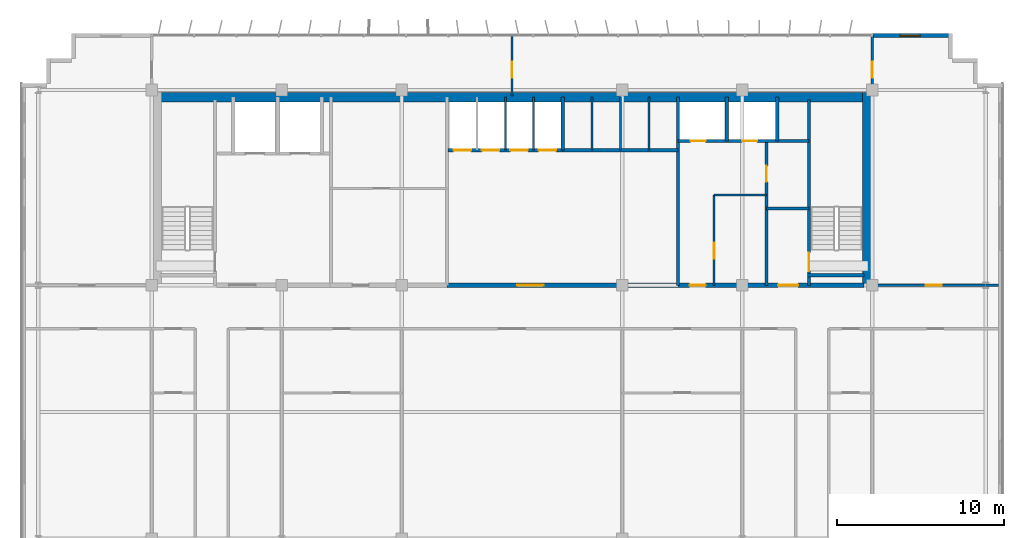
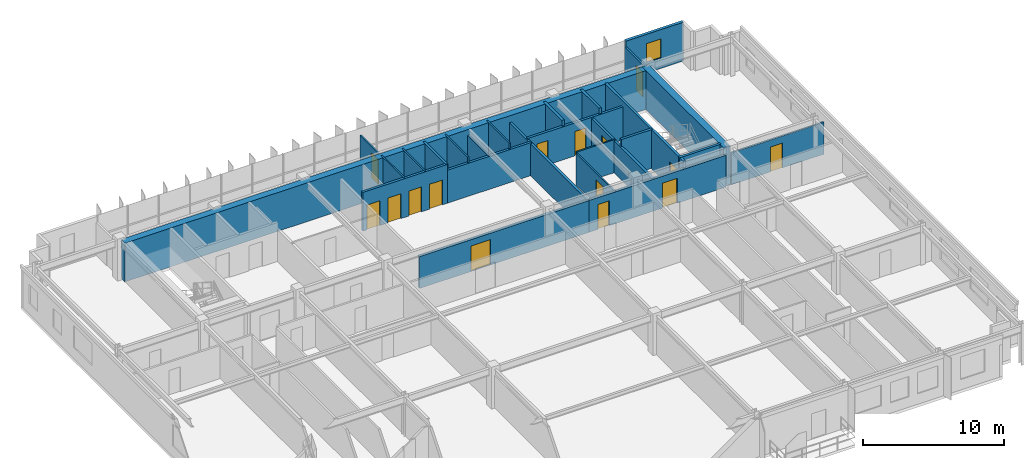
# One storey, part 17 of 20: 26 walls, 15 doors, 1 window, 16 openings.
"""IFC4 building model written with IfcOpenShell, lengths in metres."""

from ifc_helpers import new_model, si_unit, direction, frame, frame_2d, origin, place, context, subcontext, project, spatial, rectangle, extrude, source, transform, mapped, material, layer, layer_set, type_object, element, fill, save


model = new_model("IFC4")

# Units and contexts
model_context = context("Model", 3, precision=1e-05, world=origin(), true_north=direction((0.0, 1.0)))
body_context = subcontext(model_context, "Body", "Model", "MODEL_VIEW")
ifc_project = project(units=[si_unit("LENGTHUNIT", "METRE"), si_unit("AREAUNIT", "SQUARE_METRE"), si_unit("VOLUMEUNIT", "CUBIC_METRE"), si_unit("PLANEANGLEUNIT", "RADIAN"), si_unit("MASSUNIT", "GRAM", prefix="KILO")], contexts=[model_context])

# Site, building, storey
site_placement = place(None, origin())
site = spatial("IfcSite", under=ifc_project, at=site_placement, CompositionType="ELEMENT")
building_placement = place(site_placement, origin())
building = spatial("IfcBuilding", under=site, at=building_placement, Name="Trelvane Seafront Commons", CompositionType="ELEMENT")
storey_placement = place(building_placement, frame((0.0, 0.0, 146.5)))
storey = spatial("IfcBuildingStorey", under=building, at=storey_placement, Name="L38", CompositionType="ELEMENT", Elevation=146.5)

# Wall, opening, window
ifc_material_1 = material(Name="Precast concrete C40/50", Category="concrete")
ifc_layer_1 = layer(ifc_material_1, 0.239990234375, Name="ARCH-WALL-EXT240")
ifc_layer_set_1 = layer_set([ifc_layer_1], Name="Precast concrete C40/50")
wall_type_1 = type_object("IfcWallType", Name="ARCH-WALL-EXT240", PredefinedType="SOLIDWALL", material=ifc_layer_set_1)
wall_1_placement = place(storey_placement, frame((58.800048828125, 48.3701171875, 0.0), z_axis=(0.0, 0.0, 1.0), x_axis=(1.0, 0.0, 0.0)))
wall_1 = element("IfcWall", 1, at=wall_1_placement, inside=storey, type_object=wall_type_1, Name="EW-L38-NE-0738", PredefinedType="SOLIDWALL", context=body_context, shape_type="SweptSolid", body=[
    extrude(rectangle(XDim=4.699951171875, YDim=0.239990234375, at=frame_2d((2.35009765625, 0.0))), origin(), (0.0, 0.0, 1.0), 3.35009765625),
])
opening_1_placement = place(wall_1_placement, frame((1.658935546875, 0.0, 0.89990234375)))
opening_1 = element("IfcOpeningElement", 2, at=opening_1_placement, cuts=wall_1, Name="Opening W05", PredefinedType="OPENING", context=body_context, shape_type="SweptSolid", body=[
    extrude(rectangle(XDim=1.199951171875, YDim=1.64990234375, at=frame_2d((0.60009765625, 0.824951171875))), frame((0.0, 0.1298828125, 0.0), z_axis=(0.0, -1.0, 0.0), x_axis=(1.0, 0.0, 0.0)), (0.0, 0.0, 1.0), 0.260009765625),
])
ifc_material_2 = material(Name="Low-E coastal double glazing", Category="glass")
window_type = type_object("IfcWindowType", Name="ARCH-WIN-W05", PartitioningType="SINGLE_PANEL", PredefinedType="WINDOW", material=ifc_material_2)
shared_shape_1 = source(origin(), body_context, "Body", "SweptSolid", [
    extrude(rectangle(XDim=1.199951171875, YDim=1.64990234375, at=frame_2d((0.60009765625, 0.824951171875))), frame((0.0, 0.030029296875, 0.0), z_axis=(0.0, -1.0, 0.0), x_axis=(1.0, 0.0, 0.0)), (0.0, 0.0, 1.0), 0.06005859375),
])
window_placement = place(opening_1_placement, origin())
window = element("IfcWindow", 3, at=window_placement, inside=storey, type_object=window_type, Name="WIN-L38-00876", OverallHeight=1.64990234375, OverallWidth=1.199951171875, PartitioningType="SINGLE_PANEL", PredefinedType="WINDOW", context=body_context, shape_type="MappedRepresentation", body=[
    mapped(shared_shape_1, transform((0.0, 0.0, 0.0), x_axis=(1.0, 0.0, 0.0), y_axis=(0.0, 1.0, 0.0), z_axis=(0.0, 0.0, 1.0), scale=1.0)),
])
fill(opening_1, window)

# Wall, opening, door
ifc_material_3 = material(Name="Concrete C40/50", Category="concrete")
ifc_layer_2 = layer(ifc_material_3, 0.199951171875, Name="ARCH-WALL-FIRE200")
ifc_layer_set_2 = layer_set([ifc_layer_2], Name="Concrete C40/50")
wall_type_2 = type_object("IfcWallType", Name="ARCH-WALL-FIRE200", PredefinedType="PARTITIONING", material=ifc_layer_set_2)
wall_2_placement = place(storey_placement, frame((52.449951171875, 33.39990234375, 0.0), z_axis=(0.0, 0.0, 1.0), x_axis=(0.0, 1.0, 0.0)))
wall_2 = element("IfcWall", 4, at=wall_2_placement, inside=storey, type_object=wall_type_2, Name="W-L38-ST2V-W-031", PredefinedType="PARTITIONING", context=body_context, shape_type="SweptSolid", body=[
    extrude(rectangle(XDim=8.650146484375, YDim=0.199951171875, at=frame_2d((4.3251953125, 0.0))), origin(), (0.0, 0.0, 1.0), 2.75),
])
opening_2_placement = place(wall_2_placement, frame((6.199951171875, 0.0, 0.0)))
opening_2 = element("IfcOpeningElement", 5, at=opening_2_placement, cuts=wall_2, Name="Opening FD-L38-15", PredefinedType="OPENING", context=body_context, shape_type="SweptSolid", body=[
    extrude(rectangle(XDim=0.949951171875, YDim=2.14990234375, at=frame_2d((0.47509765625, 1.074951171875))), frame((0.0, 0.10986328125, 0.0), z_axis=(0.0, -1.0, 0.0), x_axis=(1.0, 0.0, 0.0)), (0.0, 0.0, 1.0), 0.219970703125),
])
ifc_material_4 = material(Name="Powder-coated aluminium frame", Category="aluminium")
door_type_1 = type_object("IfcDoorType", Name="ARCH-DR-FD60-950", OperationType="NOTDEFINED", PredefinedType="DOOR", material=ifc_material_4)
shared_shape_2 = source(origin(), body_context, "Body", "SweptSolid", [
    extrude(rectangle(XDim=0.949951171875, YDim=2.14990234375, at=frame_2d((0.47509765625, 1.074951171875))), frame((0.0, 0.02490234375, 0.0), z_axis=(0.0, -1.0, 0.0), x_axis=(1.0, 0.0, 0.0)), (0.0, 0.0, 1.0), 0.050048828125),
])
door_1_placement = place(opening_2_placement, origin())
door_1 = element("IfcDoor", 6, at=door_1_placement, inside=storey, type_object=door_type_1, Name="L38 Cleaner Store Door", OperationType="SINGLE_SWING_LEFT", OverallHeight=2.14990234375, OverallWidth=0.949951171875, PredefinedType="DOOR", context=body_context, shape_type="MappedRepresentation", body=[
    mapped(shared_shape_2, transform((0.0, 0.0, 0.0), x_axis=(1.0, 0.0, 0.0), y_axis=(0.0, 1.0, 0.0), z_axis=(0.0, 0.0, 1.0), scale=1.0)),
])
fill(opening_2, door_1)

# Wall
wall_3_placement = place(storey_placement, frame((52.449951171875, 38.0, 0.0), z_axis=(0.0, 0.0, 1.0), x_axis=(1.0, 0.0, 0.0)))
element("IfcWall", 7, at=wall_3_placement, inside=storey, type_object=wall_type_2, Name="W-L38-ST2V-N-032", PredefinedType="PARTITIONING", context=body_context, shape_type="SweptSolid", body=[
    extrude(rectangle(XDim=2.550048828125, YDim=0.199951171875, at=frame_2d((1.27490234375, 0.0))), origin(), (0.0, 0.0, 1.0), 3.35009765625),
])

# Wall, opening, door
ifc_layer_3 = layer(ifc_material_3, 0.25, Name="ARCH-WALL-FIRE250")
ifc_layer_set_3 = layer_set([ifc_layer_3], Name="Concrete C40/50")
wall_type_3 = type_object("IfcWallType", Name="ARCH-WALL-FIRE250", PredefinedType="PARTITIONING", material=ifc_layer_set_3)
wall_4_placement = place(storey_placement, frame((33.300048828125, 33.39990234375, 0.0), z_axis=(0.0, 0.0, 1.0), x_axis=(1.0, 0.0, 0.0)))
wall_4 = element("IfcWall", 8, at=wall_4_placement, inside=storey, type_object=wall_type_3, Name="W-L38-CS-PAX-027", PredefinedType="PARTITIONING", context=body_context, shape_type="SweptSolid", body=[
    extrude(rectangle(XDim=13.849853515625, YDim=0.25, at=frame_2d((6.9248046875, 0.0))), origin(), (0.0, 0.0, 1.0), 2.75),
])
opening_3_placement = place(wall_4_placement, frame((4.199951171875, 0.0, 0.0)))
opening_3 = element("IfcOpeningElement", 9, at=opening_3_placement, cuts=wall_4, Name="Opening FD-L38-12", PredefinedType="OPENING", context=body_context, shape_type="SweptSolid", body=[
    extrude(rectangle(XDim=1.60009765625, YDim=2.199951171875, at=frame_2d((0.800048828125, 1.10009765625))), frame((0.0, 0.135009765625, 0.0), z_axis=(0.0, -1.0, 0.0), x_axis=(1.0, 0.0, 0.0)), (0.0, 0.0, 1.0), 0.27001953125),
])
door_type_2 = type_object("IfcDoorType", Name="ARCH-DR-FD60-1600", OperationType="DOUBLE_DOOR_SINGLE_SWING", PredefinedType="DOOR", material=ifc_material_4)
shared_shape_3 = source(origin(), body_context, "Body", "SweptSolid", [
    extrude(rectangle(XDim=1.60009765625, YDim=2.199951171875, at=frame_2d((0.800048828125, 1.10009765625))), frame((0.0, 0.02490234375, 0.0), z_axis=(0.0, -1.0, 0.0), x_axis=(1.0, 0.0, 0.0)), (0.0, 0.0, 1.0), 0.050048828125),
])
door_2_placement = place(opening_3_placement, origin())
door_2 = element("IfcDoor", 10, at=door_2_placement, inside=storey, type_object=door_type_2, Name="L38 Passenger Lift Lobby Double Door", OperationType="DOUBLE_DOOR_SINGLE_SWING", OverallHeight=2.199951171875, OverallWidth=1.60009765625, PredefinedType="DOOR", context=body_context, shape_type="MappedRepresentation", body=[
    mapped(shared_shape_3, transform((0.0, 0.0, 0.0), x_axis=(1.0, 0.0, 0.0), y_axis=(0.0, 1.0, 0.0), z_axis=(0.0, 0.0, 1.0), scale=1.0)),
])
fill(opening_3, door_2)

# Wall, openings, doors
wall_5_placement = place(storey_placement, frame((47.14990234375, 33.39990234375, 0.0), z_axis=(0.0, 0.0, 1.0), x_axis=(1.0, 0.0, 0.0)))
wall_5 = element("IfcWall", 11, at=wall_5_placement, inside=storey, type_object=wall_type_3, Name="W-L38-CS-EAST-035", PredefinedType="PARTITIONING", context=body_context, shape_type="SweptSolid", body=[
    extrude(rectangle(XDim=11.150146484375, YDim=0.25, at=frame_2d((5.5751953125, 0.0))), origin(), (0.0, 0.0, 1.0), 2.75),
])
opening_4_placement = place(wall_5_placement, frame((0.699951171875, 0.0, 0.0)))
opening_4 = element("IfcOpeningElement", 12, at=opening_4_placement, cuts=wall_5, Name="Opening FD-L38-17", PredefinedType="OPENING", context=body_context, shape_type="SweptSolid", body=[
    extrude(rectangle(XDim=0.949951171875, YDim=2.14990234375, at=frame_2d((0.47509765625, 1.074951171875))), frame((0.0, 0.135009765625, 0.0), z_axis=(0.0, -1.0, 0.0), x_axis=(1.0, 0.0, 0.0)), (0.0, 0.0, 1.0), 0.27001953125),
])
opening_5_placement = place(wall_5_placement, frame((6.0, 0.0, 0.0)))
opening_5 = element("IfcOpeningElement", 13, at=opening_5_placement, cuts=wall_5, Name="Opening FD-L38-18", PredefinedType="OPENING", context=body_context, shape_type="SweptSolid", body=[
    extrude(rectangle(XDim=1.199951171875, YDim=2.14990234375, at=frame_2d((0.60009765625, 1.074951171875))), frame((0.0, 0.135009765625, 0.0), z_axis=(0.0, -1.0, 0.0), x_axis=(1.0, 0.0, 0.0)), (0.0, 0.0, 1.0), 0.27001953125),
])
door_3_placement = place(opening_4_placement, origin())
door_3 = element("IfcDoor", 14, at=door_3_placement, inside=storey, type_object=door_type_1, Name="L38 Core Service Lobby Door", OperationType="SINGLE_SWING_LEFT", OverallHeight=2.14990234375, OverallWidth=0.949951171875, PredefinedType="DOOR", context=body_context, shape_type="MappedRepresentation", body=[
    mapped(shared_shape_2, transform((0.0, 0.0, 0.0), x_axis=(1.0, 0.0, 0.0), y_axis=(0.0, 1.0, 0.0), z_axis=(0.0, 0.0, 1.0), scale=1.0)),
])
fill(opening_4, door_3)
door_type_3 = type_object("IfcDoorType", Name="ARCH-DR-FD60-1200", OperationType="NOTDEFINED", PredefinedType="DOOR", material=ifc_material_4)
shared_shape_4 = source(origin(), body_context, "Body", "SweptSolid", [
    extrude(rectangle(XDim=1.199951171875, YDim=2.14990234375, at=frame_2d((0.60009765625, 1.074951171875))), frame((0.0, 0.02490234375, 0.0), z_axis=(0.0, -1.0, 0.0), x_axis=(1.0, 0.0, 0.0)), (0.0, 0.0, 1.0), 0.050048828125),
])
door_4_placement = place(opening_5_placement, origin())
door_4 = element("IfcDoor", 15, at=door_4_placement, inside=storey, type_object=door_type_3, Name="L38 East Stair Vestibule Fire Door", OperationType="SINGLE_SWING_RIGHT", OverallHeight=2.14990234375, OverallWidth=1.199951171875, PredefinedType="DOOR", context=body_context, shape_type="MappedRepresentation", body=[
    mapped(shared_shape_4, transform((0.0, 0.0, 0.0), x_axis=(1.0, 0.0, 0.0), y_axis=(0.0, 1.0, 0.0), z_axis=(0.0, 0.0, 1.0), scale=1.0)),
])
fill(opening_5, door_4)

# Walls
ifc_material_5 = material(Name="Gypsum Drywall Acoustic Partition")
ifc_layer_4 = layer(ifc_material_5, 0.1201171875, Name="ARCH-WALL-PART120")
ifc_layer_set_4 = layer_set([ifc_layer_4], Name="Gypsum Drywall Acoustic Partition")
wall_type_4 = type_object("IfcWallType", Name="ARCH-WALL-PART120", PredefinedType="PARTITIONING", material=ifc_layer_set_4)
for number, where, z_axis, x_axis, name in (
    (16, (36.800048828125, 41.5, 0.0), (0.0, 0.0, 1.0), (0.0, 1.0, 0.0), "W-L38-PM-DIV2-018"),
    (17, (38.5, 41.5, 0.0), (0.0, 0.0, 1.0), (0.0, 1.0, 0.0), "W-L38-PM-DIV3-019"),
    (18, (42.0, 41.5, 0.0), (0.0, 0.0, 1.0), (0.0, 1.0, 0.0), "W-L38-PH-DIV1-022"),
):
    element("IfcWall", number, at=place(storey_placement, frame(where, z_axis=z_axis, x_axis=x_axis)), inside=storey, type_object=wall_type_4, Name=name, PredefinedType="PARTITIONING", context=body_context, shape_type="SweptSolid", body=[
        extrude(rectangle(XDim=3.199951171875, YDim=0.1201171875, at=frame_2d((1.60009765625, 0.0))), origin(), (0.0, 0.0, 1.0), 3.35009765625),
    ])
wall_6_placement = place(storey_placement, frame((43.699951171875, 41.5, 0.0), z_axis=(0.0, 0.0, 1.0), x_axis=(0.0, 1.0, 0.0)))
element("IfcWall", 19, at=wall_6_placement, inside=storey, type_object=wall_type_4, Name="W-L38-PH-DIV2-023", PredefinedType="PARTITIONING", context=body_context, shape_type="SweptSolid", body=[
    extrude(rectangle(XDim=3.199951171875, YDim=0.1201171875, at=frame_2d((1.60009765625, 0.0))), origin(), (0.0, 0.0, 1.0), 2.85009765625),
])
wall_7_placement = place(storey_placement, frame((45.39990234375, 41.5, 0.0), z_axis=(0.0, 0.0, 1.0), x_axis=(0.0, 1.0, 0.0)))
element("IfcWall", 20, at=wall_7_placement, inside=storey, type_object=wall_type_4, Name="W-L38-PH-DIV3-024", PredefinedType="PARTITIONING", context=body_context, shape_type="SweptSolid", body=[
    extrude(rectangle(XDim=3.199951171875, YDim=0.1201171875, at=frame_2d((1.60009765625, 0.0))), origin(), (0.0, 0.0, 1.0), 3.35009765625),
])

# Wall, opening, door
wall_8_placement = place(storey_placement, frame((49.320068359375, 33.39990234375, 0.0), z_axis=(0.0, 0.0, 1.0), x_axis=(0.0, 1.0, 0.0)))
wall_8 = element("IfcWall", 21, at=wall_8_placement, inside=storey, type_object=wall_type_4, Name="W-L38-CYC2-V-033", PredefinedType="PARTITIONING", context=body_context, shape_type="SweptSolid", body=[
    extrude(rectangle(XDim=5.420166015625, YDim=0.1201171875, at=frame_2d((2.7099609375, 0.0))), origin(), (0.0, 0.0, 1.0), 2.75),
])
opening_6_placement = place(wall_8_placement, frame((1.60009765625, 0.0, 0.0)))
opening_6 = element("IfcOpeningElement", 22, at=opening_6_placement, cuts=wall_8, Name="Opening D-L38-16", PredefinedType="OPENING", context=body_context, shape_type="SweptSolid", body=[
    extrude(rectangle(XDim=0.949951171875, YDim=2.14990234375, at=frame_2d((0.47509765625, 1.074951171875))), frame((0.0, 0.070068359375, 0.0), z_axis=(0.0, -1.0, 0.0), x_axis=(1.0, 0.0, 0.0)), (0.0, 0.0, 1.0), 0.14013671875),
])
ifc_material_6 = material(Name="Acoustic timber door leaf", Category="wood")
door_type_4 = type_object("IfcDoorType", Name="ARCH-DR-INT950", OperationType="NOTDEFINED", PredefinedType="DOOR", material=ifc_material_6)
door_5_placement = place(opening_6_placement, origin())
door_5 = element("IfcDoor", 23, at=door_5_placement, inside=storey, type_object=door_type_4, Name="L38 Accessible WC Door", OperationType="SINGLE_SWING_RIGHT", OverallHeight=2.14990234375, OverallWidth=0.949951171875, PredefinedType="DOOR", context=body_context, shape_type="MappedRepresentation", body=[
    mapped(shared_shape_2, transform((0.0, 0.0, 0.0), x_axis=(1.0, 0.0, 0.0), y_axis=(0.0, 1.0, 0.0), z_axis=(0.0, 0.0, 1.0), scale=1.0)),
])
fill(opening_6, door_5)

# Wall
wall_9_placement = place(storey_placement, frame((49.320068359375, 38.820068359375, 0.0), z_axis=(0.0, 0.0, 1.0), x_axis=(1.0, 0.0, 0.0)))
element("IfcWall", 24, at=wall_9_placement, inside=storey, type_object=wall_type_4, Name="W-L38-CYC2-H-034", PredefinedType="PARTITIONING", context=body_context, shape_type="SweptSolid", body=[
    extrude(rectangle(XDim=3.1298828125, YDim=0.1201171875, at=frame_2d((1.56494140625, 0.0))), origin(), (0.0, 0.0, 1.0), 2.85009765625),
])

# Wall, opening, door
wall_10_placement = place(storey_placement, frame((37.199951171875, 44.75, 0.0), z_axis=(0.0, 0.0, 1.0), x_axis=(0.0, 1.0, 0.0)))
wall_10 = element("IfcWall", 25, at=wall_10_placement, inside=storey, type_object=wall_type_4, Name="W-L38-N-MID-DV-038", PredefinedType="PARTITIONING", context=body_context, shape_type="SweptSolid", body=[
    extrude(rectangle(XDim=3.610107421875, YDim=0.1201171875, at=frame_2d((1.80517578125, 0.0))), origin(), (0.0, 0.0, 1.0), 2.75),
])
opening_7_placement = place(wall_10_placement, frame((1.10009765625, 0.0, 0.0)))
opening_7 = element("IfcOpeningElement", 26, at=opening_7_placement, cuts=wall_10, Name="Opening D-L38-21", PredefinedType="OPENING", context=body_context, shape_type="SweptSolid", body=[
    extrude(rectangle(XDim=0.949951171875, YDim=2.14990234375, at=frame_2d((0.47509765625, 1.074951171875))), frame((0.0, 0.070068359375, 0.0), z_axis=(0.0, -1.0, 0.0), x_axis=(1.0, 0.0, 0.0)), (0.0, 0.0, 1.0), 0.14013671875),
])
door_6_placement = place(opening_7_placement, origin())
door_6 = element("IfcDoor", 27, at=door_6_placement, inside=storey, type_object=door_type_4, Name="L38 Door 21", OperationType="SINGLE_SWING_LEFT", OverallHeight=2.14990234375, OverallWidth=0.949951171875, PredefinedType="DOOR", context=body_context, shape_type="MappedRepresentation", body=[
    mapped(shared_shape_2, transform((0.0, 0.0, 0.0), x_axis=(1.0, 0.0, 0.0), y_axis=(0.0, 1.0, 0.0), z_axis=(0.0, 0.0, 1.0), scale=1.0)),
])
fill(opening_7, door_6)

ifc_layer_5 = layer(ifc_material_5, 0.14990234375, Name="ARCH-WALL-PART150")
ifc_layer_set_5 = layer_set([ifc_layer_5], Name="Gypsum Drywall Acoustic Partition")
wall_type_5 = type_object("IfcWallType", Name="ARCH-WALL-PART150", PredefinedType="PARTITIONING", material=ifc_layer_set_5)
wall_11_placement = place(storey_placement, frame((58.800048828125, 33.39990234375, 0.0), z_axis=(0.0, 0.0, 1.0), x_axis=(1.0, 0.0, 0.0)))
wall_11 = element("IfcWall", 28, at=wall_11_placement, inside=storey, type_object=wall_type_5, Name="W-L38-NE-ENT-037", PredefinedType="PARTITIONING", context=body_context, shape_type="SweptSolid", body=[
    extrude(rectangle(XDim=7.550048828125, YDim=0.14990234375, at=frame_2d((3.77490234375, 0.0))), origin(), (0.0, 0.0, 1.0), 2.75),
])
opening_8_placement = place(wall_11_placement, frame((3.199951171875, 0.0, 0.0)))
opening_8 = element("IfcOpeningElement", 29, at=opening_8_placement, cuts=wall_11, Name="Opening FD-L38-20", PredefinedType="OPENING", context=body_context, shape_type="SweptSolid", body=[
    extrude(rectangle(XDim=0.949951171875, YDim=2.14990234375, at=frame_2d((0.47509765625, 1.074951171875))), frame((0.0, 0.0849609375, 0.0), z_axis=(0.0, -1.0, 0.0), x_axis=(1.0, 0.0, 0.0)), (0.0, 0.0, 1.0), 0.169921875),
])
door_7_placement = place(opening_8_placement, origin())
door_7 = element("IfcDoor", 30, at=door_7_placement, inside=storey, type_object=door_type_1, Name="L38 NE Suite Entrance Door", OperationType="SINGLE_SWING_RIGHT", OverallHeight=2.14990234375, OverallWidth=0.949951171875, PredefinedType="DOOR", context=body_context, shape_type="MappedRepresentation", body=[
    mapped(shared_shape_2, transform((0.0, 0.0, 0.0), x_axis=(1.0, 0.0, 0.0), y_axis=(0.0, 1.0, 0.0), z_axis=(0.0, 0.0, 1.0), scale=1.0)),
])
fill(opening_8, door_7)

wall_12_placement = place(storey_placement, frame((58.800048828125, 44.75, 0.0), z_axis=(0.0, 0.0, 1.0), x_axis=(0.0, 1.0, 0.0)))
wall_12 = element("IfcWall", 31, at=wall_12_placement, inside=storey, type_object=wall_type_5, Name="W-L38-N-LINK-E-040", PredefinedType="PARTITIONING", context=body_context, shape_type="SweptSolid", body=[
    extrude(rectangle(XDim=3.610107421875, YDim=0.14990234375, at=frame_2d((1.80517578125, 0.0))), origin(), (0.0, 0.0, 1.0), 2.85009765625),
])
opening_9_placement = place(wall_12_placement, frame((1.10009765625, 0.0, 0.0)))
opening_9 = element("IfcOpeningElement", 32, at=opening_9_placement, cuts=wall_12, Name="Opening FD-L38-23", PredefinedType="OPENING", context=body_context, shape_type="SweptSolid", body=[
    extrude(rectangle(XDim=0.949951171875, YDim=2.14990234375, at=frame_2d((0.47509765625, 1.074951171875))), frame((0.0, 0.0849609375, 0.0), z_axis=(0.0, -1.0, 0.0), x_axis=(1.0, 0.0, 0.0)), (0.0, 0.0, 1.0), 0.169921875),
])
door_8_placement = place(opening_9_placement, origin())
door_8 = element("IfcDoor", 33, at=door_8_placement, inside=storey, type_object=door_type_1, Name="L38 Door 23", OperationType="SINGLE_SWING_LEFT", OverallHeight=2.14990234375, OverallWidth=0.949951171875, PredefinedType="DOOR", context=body_context, shape_type="MappedRepresentation", body=[
    mapped(shared_shape_2, transform((0.0, 0.0, 0.0), x_axis=(1.0, 0.0, 0.0), y_axis=(0.0, 1.0, 0.0), z_axis=(0.0, 0.0, 1.0), scale=1.0)),
])
fill(opening_9, door_8)

# Wall, openings, doors
ifc_layer_6 = layer(ifc_material_3, 0.199951171875, Name="ARCH-WALL-SHAFT200")
ifc_layer_set_6 = layer_set([ifc_layer_6], Name="Concrete C40/50")
wall_type_6 = type_object("IfcWallType", Name="ARCH-WALL-SHAFT200", PredefinedType="SOLIDWALL", material=ifc_layer_set_6)
wall_13_placement = place(storey_placement, frame((33.35009765625, 41.5, 0.0), z_axis=(0.0, 0.0, 1.0), x_axis=(1.0, 0.0, 0.0)))
wall_13 = element("IfcWall", 34, at=wall_13_placement, inside=storey, type_object=wall_type_6, Name="W-L38-PM-FRONT-016", PredefinedType="SOLIDWALL", context=body_context, shape_type="SweptSolid", body=[
    extrude(rectangle(XDim=6.89990234375, YDim=0.199951171875, at=frame_2d((3.449951171875, 0.0))), origin(), (0.0, 0.0, 1.0), 3.35009765625),
])
opening_10_placement = place(wall_13_placement, frame((0.35009765625, 0.0, 0.0)))
opening_10 = element("IfcOpeningElement", 35, at=opening_10_placement, cuts=wall_13, Name="Opening LD-PM1-L38", PredefinedType="OPENING", context=body_context, shape_type="SweptSolid", body=[
    extrude(rectangle(XDim=1.050048828125, YDim=2.14990234375, at=frame_2d((0.52490234375, 1.074951171875))), frame((0.0, 0.10986328125, 0.0), z_axis=(0.0, -1.0, 0.0), x_axis=(1.0, 0.0, 0.0)), (0.0, 0.0, 1.0), 0.219970703125),
])
opening_11_placement = place(wall_13_placement, frame((2.050048828125, 0.0, 0.0)))
opening_11 = element("IfcOpeningElement", 36, at=opening_11_placement, cuts=wall_13, Name="Opening LD-PM2-L38", PredefinedType="OPENING", context=body_context, shape_type="SweptSolid", body=[
    extrude(rectangle(XDim=1.050048828125, YDim=2.14990234375, at=frame_2d((0.52490234375, 1.074951171875))), frame((0.0, 0.10986328125, 0.0), z_axis=(0.0, -1.0, 0.0), x_axis=(1.0, 0.0, 0.0)), (0.0, 0.0, 1.0), 0.219970703125),
])
opening_12_placement = place(wall_13_placement, frame((3.75, 0.0, 0.0)))
opening_12 = element("IfcOpeningElement", 37, at=opening_12_placement, cuts=wall_13, Name="Opening LD-PM3-L38", PredefinedType="OPENING", context=body_context, shape_type="SweptSolid", body=[
    extrude(rectangle(XDim=1.050048828125, YDim=2.14990234375, at=frame_2d((0.52490234375, 1.074951171875))), frame((0.0, 0.10986328125, 0.0), z_axis=(0.0, -1.0, 0.0), x_axis=(1.0, 0.0, 0.0)), (0.0, 0.0, 1.0), 0.219970703125),
])
opening_13_placement = place(wall_13_placement, frame((5.449951171875, 0.0, 0.0)))
opening_13 = element("IfcOpeningElement", 38, at=opening_13_placement, cuts=wall_13, Name="Opening LD-PM4-L38", PredefinedType="OPENING", context=body_context, shape_type="SweptSolid", body=[
    extrude(rectangle(XDim=1.050048828125, YDim=2.14990234375, at=frame_2d((0.52490234375, 1.074951171875))), frame((0.0, 0.10986328125, 0.0), z_axis=(0.0, -1.0, 0.0), x_axis=(1.0, 0.0, 0.0)), (0.0, 0.0, 1.0), 0.219970703125),
])
ifc_material_7 = material(Name="Stainless steel balustrade", Category="steel")
door_type_5 = type_object("IfcDoorType", Name="ARCH-DR-LD1050", OperationType="DOUBLE_DOOR_SLIDING", PredefinedType="DOOR", material=ifc_material_7)
shared_shape_5 = source(origin(), body_context, "Body", "SweptSolid", [
    extrude(rectangle(XDim=1.050048828125, YDim=2.14990234375, at=frame_2d((0.52490234375, 1.074951171875))), frame((0.0, 0.02490234375, 0.0), z_axis=(0.0, -1.0, 0.0), x_axis=(1.0, 0.0, 0.0)), (0.0, 0.0, 1.0), 0.050048828125),
])
door_9_placement = place(opening_10_placement, origin())
door_9 = element("IfcDoor", 39, at=door_9_placement, inside=storey, type_object=door_type_5, Name="L38 Passenger Lift PM-1 Landing Door", OperationType="DOUBLE_DOOR_SLIDING", OverallHeight=2.14990234375, OverallWidth=1.050048828125, PredefinedType="DOOR", context=body_context, shape_type="MappedRepresentation", body=[
    mapped(shared_shape_5, transform((0.0, 0.0, 0.0), x_axis=(1.0, 0.0, 0.0), y_axis=(0.0, 1.0, 0.0), z_axis=(0.0, 0.0, 1.0), scale=1.0)),
])
fill(opening_10, door_9)
door_10_placement = place(opening_11_placement, origin())
door_10 = element("IfcDoor", 40, at=door_10_placement, inside=storey, type_object=door_type_5, Name="L38 Passenger Lift PM-2 Landing Door", OperationType="DOUBLE_DOOR_SLIDING", OverallHeight=2.14990234375, OverallWidth=1.050048828125, PredefinedType="DOOR", context=body_context, shape_type="MappedRepresentation", body=[
    mapped(shared_shape_5, transform((0.0, 0.0, 0.0), x_axis=(1.0, 0.0, 0.0), y_axis=(0.0, 1.0, 0.0), z_axis=(0.0, 0.0, 1.0), scale=1.0)),
])
fill(opening_11, door_10)
door_11_placement = place(opening_12_placement, origin())
door_11 = element("IfcDoor", 41, at=door_11_placement, inside=storey, type_object=door_type_5, Name="L38 Passenger Lift PM-3 Landing Door", OperationType="DOUBLE_DOOR_SLIDING", OverallHeight=2.14990234375, OverallWidth=1.050048828125, PredefinedType="DOOR", context=body_context, shape_type="MappedRepresentation", body=[
    mapped(shared_shape_5, transform((0.0, 0.0, 0.0), x_axis=(1.0, 0.0, 0.0), y_axis=(0.0, 1.0, 0.0), z_axis=(0.0, 0.0, 1.0), scale=1.0)),
])
fill(opening_12, door_11)
door_12_placement = place(opening_13_placement, origin())
door_12 = element("IfcDoor", 42, at=door_12_placement, inside=storey, type_object=door_type_5, Name="L38 Passenger Lift PM-4 Landing Door", OperationType="DOUBLE_DOOR_SLIDING", OverallHeight=2.14990234375, OverallWidth=1.050048828125, PredefinedType="DOOR", context=body_context, shape_type="MappedRepresentation", body=[
    mapped(shared_shape_5, transform((0.0, 0.0, 0.0), x_axis=(1.0, 0.0, 0.0), y_axis=(0.0, 1.0, 0.0), z_axis=(0.0, 0.0, 1.0), scale=1.0)),
])
fill(opening_13, door_12)

# Walls
wall_14_placement = place(storey_placement, frame((40.25, 41.5, 0.0), z_axis=(0.0, 0.0, 1.0), x_axis=(1.0, 0.0, 0.0)))
element("IfcWall", 43, at=wall_14_placement, inside=storey, type_object=wall_type_6, Name="W-L38-PH-FRONT-020", PredefinedType="SOLIDWALL", context=body_context, shape_type="SweptSolid", body=[
    extrude(rectangle(XDim=6.89990234375, YDim=0.199951171875, at=frame_2d((3.449951171875, 0.0))), origin(), (0.0, 0.0, 1.0), 2.85009765625),
])
wall_15_placement = place(storey_placement, frame((40.25, 41.5, 0.0), z_axis=(0.0, 0.0, 1.0), x_axis=(0.0, 1.0, 0.0)))
element("IfcWall", 44, at=wall_15_placement, inside=storey, type_object=wall_type_6, Name="W-L38-PH-WEST-SH-021", PredefinedType="SOLIDWALL", context=body_context, shape_type="SweptSolid", body=[
    extrude(rectangle(XDim=3.199951171875, YDim=0.199951171875, at=frame_2d((1.60009765625, 0.0))), origin(), (0.0, 0.0, 1.0), 3.35009765625),
])
wall_16_placement = place(storey_placement, frame((47.14990234375, 33.39990234375, 0.0), z_axis=(0.0, 0.0, 1.0), x_axis=(0.0, 1.0, 0.0)))
element("IfcWall", 45, at=wall_16_placement, inside=storey, type_object=wall_type_6, Name="W-L38-PH-EAST-025", PredefinedType="SOLIDWALL", context=body_context, shape_type="SweptSolid", body=[
    extrude(rectangle(XDim=11.300048828125, YDim=0.199951171875, at=frame_2d((5.64990234375, 0.0))), origin(), (0.0, 0.0, 1.0), 2.75),
])

# Wall, openings, doors
wall_17_placement = place(storey_placement, frame((47.14990234375, 42.050048828125, 0.0), z_axis=(0.0, 0.0, 1.0), x_axis=(1.0, 0.0, 0.0)))
wall_17 = element("IfcWall", 46, at=wall_17_placement, inside=storey, type_object=wall_type_6, Name="W-L38-RSR-S-028", PredefinedType="SOLIDWALL", context=body_context, shape_type="SweptSolid", body=[
    extrude(rectangle(XDim=7.85009765625, YDim=0.199951171875, at=frame_2d((3.925048828125, 0.0))), origin(), (0.0, 0.0, 1.0), 2.85009765625),
])
opening_14_placement = place(wall_17_placement, frame((0.75, 0.0, 0.0)))
opening_14 = element("IfcOpeningElement", 47, at=opening_14_placement, cuts=wall_17, Name="Opening FD-L38-13", PredefinedType="OPENING", context=body_context, shape_type="SweptSolid", body=[
    extrude(rectangle(XDim=0.89990234375, YDim=2.10009765625, at=frame_2d((0.449951171875, 1.050048828125))), frame((0.0, 0.10986328125, 0.0), z_axis=(0.0, -1.0, 0.0), x_axis=(1.0, 0.0, 0.0)), (0.0, 0.0, 1.0), 0.219970703125),
])
opening_15_placement = place(wall_17_placement, frame((3.85009765625, 0.0, 0.0)))
opening_15 = element("IfcOpeningElement", 48, at=opening_15_placement, cuts=wall_17, Name="Opening FD-L38-14", PredefinedType="OPENING", context=body_context, shape_type="SweptSolid", body=[
    extrude(rectangle(XDim=0.89990234375, YDim=2.10009765625, at=frame_2d((0.449951171875, 1.050048828125))), frame((0.0, 0.10986328125, 0.0), z_axis=(0.0, -1.0, 0.0), x_axis=(1.0, 0.0, 0.0)), (0.0, 0.0, 1.0), 0.219970703125),
])
door_type_6 = type_object("IfcDoorType", Name="ARCH-DR-FD60-900", OperationType="NOTDEFINED", PredefinedType="DOOR", material=ifc_material_4)
shared_shape_6 = source(origin(), body_context, "Body", "SweptSolid", [
    extrude(rectangle(XDim=0.89990234375, YDim=2.10009765625, at=frame_2d((0.449951171875, 1.050048828125))), frame((0.0, 0.02490234375, 0.0), z_axis=(0.0, -1.0, 0.0), x_axis=(1.0, 0.0, 0.0)), (0.0, 0.0, 1.0), 0.050048828125),
])
door_13_placement = place(opening_14_placement, origin())
door_13 = element("IfcDoor", 49, at=door_13_placement, inside=storey, type_object=door_type_6, Name="L38 Electrical Riser Access Door", OperationType="SINGLE_SWING_LEFT", OverallHeight=2.10009765625, OverallWidth=0.89990234375, PredefinedType="DOOR", context=body_context, shape_type="MappedRepresentation", body=[
    mapped(shared_shape_6, transform((0.0, 0.0, 0.0), x_axis=(1.0, 0.0, 0.0), y_axis=(0.0, 1.0, 0.0), z_axis=(0.0, 0.0, 1.0), scale=1.0)),
])
fill(opening_14, door_13)
door_14_placement = place(opening_15_placement, origin())
door_14 = element("IfcDoor", 50, at=door_14_placement, inside=storey, type_object=door_type_6, Name="L38 Mechanical Riser Access Door", OperationType="SINGLE_SWING_RIGHT", OverallHeight=2.10009765625, OverallWidth=0.89990234375, PredefinedType="DOOR", context=body_context, shape_type="MappedRepresentation", body=[
    mapped(shared_shape_6, transform((0.0, 0.0, 0.0), x_axis=(1.0, 0.0, 0.0), y_axis=(0.0, 1.0, 0.0), z_axis=(0.0, 0.0, 1.0), scale=1.0)),
])
fill(opening_15, door_14)

# Walls
for number, where, z_axis, x_axis, name in (
    (51, (50.080078125, 42.050048828125, 0.0), (0.0, 0.0, 1.0), (0.0, 1.0, 0.0), "W-L38-RSR-DIV-029"),
    (52, (53.10009765625, 42.050048828125, 0.0), (0.0, 0.0, 1.0), (0.0, 1.0, 0.0), "W-L38-RSR-E-030"),
):
    element("IfcWall", number, at=place(storey_placement, frame(where, z_axis=z_axis, x_axis=x_axis)), inside=storey, type_object=wall_type_6, Name=name, PredefinedType="SOLIDWALL", context=body_context, shape_type="SweptSolid", body=[
        extrude(rectangle(XDim=2.64990234375, YDim=0.199951171875, at=frame_2d((1.324951171875, 0.0))), origin(), (0.0, 0.0, 1.0), 3.35009765625),
    ])
ifc_material_8 = material(Name="Concrete C50/60", Category="concrete")
ifc_layer_7 = layer(ifc_material_8, 0.550048828125, Name="STR-WALL-CORE550")
ifc_layer_set_7 = layer_set([ifc_layer_7], Name="Concrete C50/60")
wall_type_7 = type_object("IfcWallType", Name="STR-WALL-CORE550", PredefinedType="SHEAR", material=ifc_layer_set_7)
wall_18_placement = place(storey_placement, frame((15.64990234375, 44.675048828125, 0.0), z_axis=(0.0, 0.0, 1.0), x_axis=(1.0, 0.0, 0.0)))
element("IfcWall", 53, at=wall_18_placement, inside=storey, type_object=wall_type_7, Name="W-L38-CN-ALL-001", PredefinedType="SHEAR", context=body_context, shape_type="SweptSolid", body=[
    extrude(rectangle(XDim=43.10009765625, YDim=0.550048828125, at=frame_2d((21.550048828125, 0.0))), origin(), (0.0, 0.0, 1.0), 3.35009765625),
])
wall_19_placement = place(storey_placement, frame((58.47509765625, 33.39990234375, 0.0), z_axis=(0.0, 0.0, 1.0), x_axis=(0.0, 1.0, 0.0)))
element("IfcWall", 54, at=wall_19_placement, inside=storey, type_object=wall_type_7, Name="W-L38-CE-END-003", PredefinedType="SHEAR", context=body_context, shape_type="SweptSolid", body=[
    extrude(rectangle(XDim=11.550048828125, YDim=0.550048828125, at=frame_2d((5.77490234375, 0.0))), origin(), (0.0, 0.0, 1.0), 3.35009765625),
])
ifc_layer_8 = layer(ifc_material_8, 0.199951171875, Name="STR-WALL-STAIR200")
ifc_layer_set_8 = layer_set([ifc_layer_8], Name="Concrete C50/60")
wall_type_8 = type_object("IfcWallType", Name="STR-WALL-STAIR200", PredefinedType="SHEAR", material=ifc_layer_set_8)
wall_20_placement = place(storey_placement, frame((54.89990234375, 34.0, 0.0), z_axis=(0.0, 0.0, 1.0), x_axis=(1.0, 0.0, 0.0)))
element("IfcWall", 55, at=wall_20_placement, inside=storey, type_object=wall_type_8, Name="W-L38-ST2-S-006", PredefinedType="SHEAR", context=body_context, shape_type="SweptSolid", body=[
    extrude(rectangle(XDim=3.400146484375, YDim=0.199951171875, at=frame_2d((1.7001953125, 0.0))), origin(), (0.0, 0.0, 1.0), 3.35009765625),
])

# Wall, opening, door
wall_21_placement = place(storey_placement, frame((55.0, 33.39990234375, 0.0), z_axis=(0.0, 0.0, 1.0), x_axis=(0.0, 1.0, 0.0)))
wall_21 = element("IfcWall", 56, at=wall_21_placement, inside=storey, type_object=wall_type_8, Name="W-L38-ST2-W-007", PredefinedType="SHEAR", context=body_context, shape_type="SweptSolid", body=[
    extrude(rectangle(XDim=11.10009765625, YDim=0.199951171875, at=frame_2d((5.550048828125, 0.0))), origin(), (0.0, 0.0, 1.0), 3.35009765625),
])
opening_16_placement = place(wall_21_placement, frame((0.85009765625, 0.0, 0.0)))
opening_16 = element("IfcOpeningElement", 57, at=opening_16_placement, cuts=wall_21, Name="Opening ST-D2-L38", PredefinedType="OPENING", context=body_context, shape_type="SweptSolid", body=[
    extrude(rectangle(XDim=1.10009765625, YDim=2.14990234375, at=frame_2d((0.550048828125, 1.074951171875))), frame((0.0, 0.10986328125, 0.0), z_axis=(0.0, -1.0, 0.0), x_axis=(1.0, 0.0, 0.0)), (0.0, 0.0, 1.0), 0.219970703125),
])
door_type_7 = type_object("IfcDoorType", Name="ARCH-DR-FD90-1100", OperationType="NOTDEFINED", PredefinedType="DOOR", material=ifc_material_4)
shared_shape_7 = source(origin(), body_context, "Body", "SweptSolid", [
    extrude(rectangle(XDim=1.10009765625, YDim=2.14990234375, at=frame_2d((0.550048828125, 1.074951171875))), frame((0.0, 0.02490234375, 0.0), z_axis=(0.0, -1.0, 0.0), x_axis=(1.0, 0.0, 0.0)), (0.0, 0.0, 1.0), 0.050048828125),
])
door_15_placement = place(opening_16_placement, origin())
door_15 = element("IfcDoor", 58, at=door_15_placement, inside=storey, type_object=door_type_7, Name="L38 Stair ST-2 Vestibule Fire Door", OperationType="SINGLE_SWING_RIGHT", OverallHeight=2.14990234375, OverallWidth=1.10009765625, PredefinedType="DOOR", context=body_context, shape_type="MappedRepresentation", body=[
    mapped(shared_shape_7, transform((0.0, 0.0, 0.0), x_axis=(1.0, 0.0, 0.0), y_axis=(0.0, 1.0, 0.0), z_axis=(0.0, 0.0, 1.0), scale=1.0)),
])
fill(opening_16, door_15)

save(model, "model.ifc")
